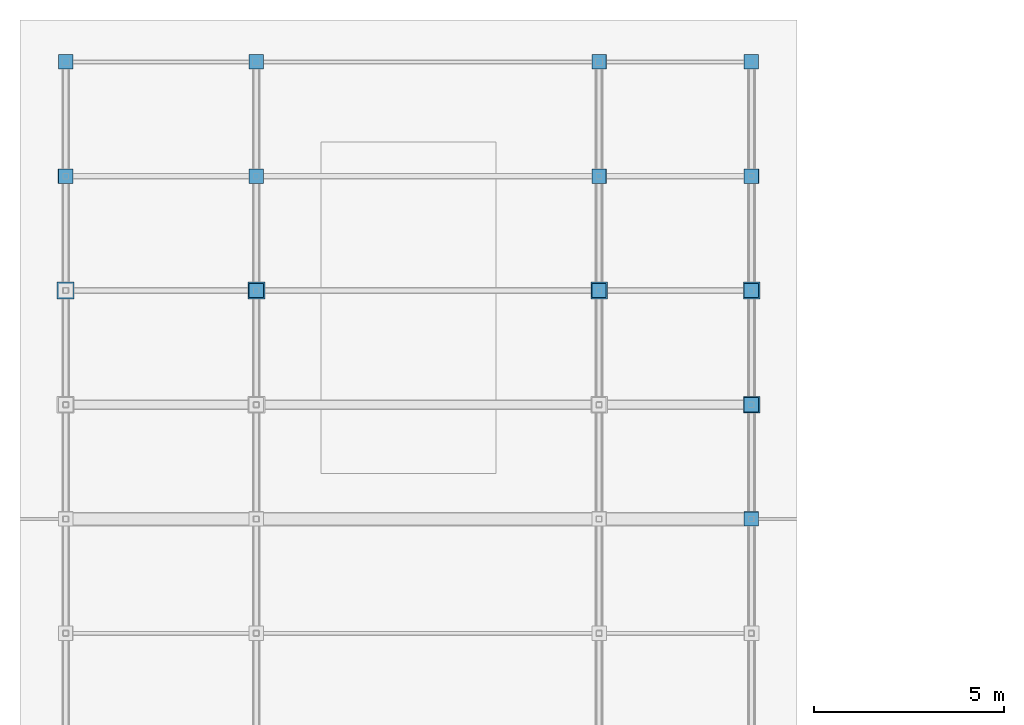
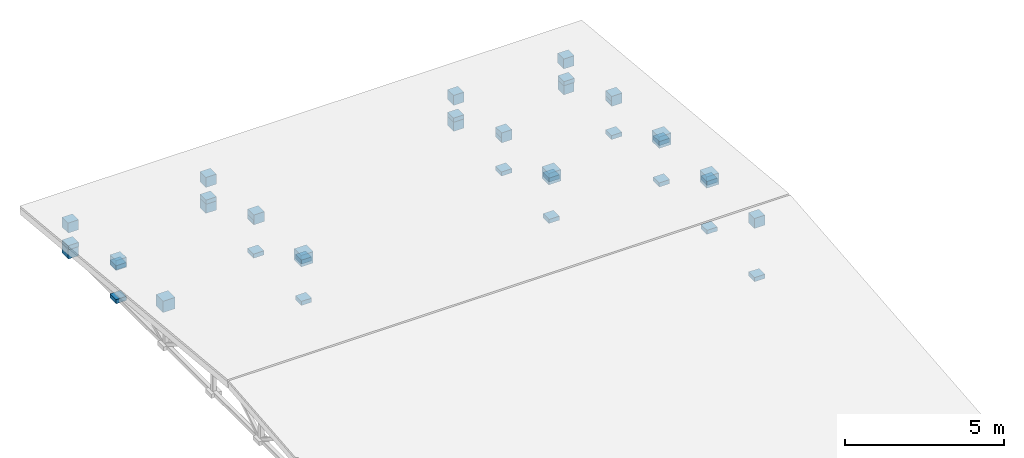
# One storey, part 24 of 25: 39 discrete accessories.
"""IFC4 building model written with IfcOpenShell, lengths in metres."""

from ifc_helpers import new_model, si_unit, direction, frame, origin, place, context, subcontext, project, spatial, polyline, outline, extrude, material, type_object, element, save


model = new_model("IFC4")

# Units and contexts
model_context = context("Model", 3, precision=1e-05, world=origin(), true_north=direction((0.0, 1.0)))
body_context = subcontext(model_context, "Body", "Model", "MODEL_VIEW")
ifc_project = project(units=[si_unit("LENGTHUNIT", "METRE"), si_unit("AREAUNIT", "SQUARE_METRE"), si_unit("VOLUMEUNIT", "CUBIC_METRE"), si_unit("PLANEANGLEUNIT", "RADIAN"), si_unit("MASSUNIT", "GRAM", prefix="KILO"), si_unit("THERMODYNAMICTEMPERATUREUNIT", "KELVIN"), si_unit("POWERUNIT", "WATT")], contexts=[model_context])

# Site, building, storey
site_placement = place(None, origin())
site = spatial("IfcSite", under=ifc_project, at=site_placement, CompositionType="ELEMENT")
building_placement = place(site_placement, origin())
building = spatial("IfcBuilding", under=site, at=building_placement, Name="Zelmaris Science Centre", CompositionType="ELEMENT")
storey_placement = place(building_placement, frame((0.0, 0.0, 30.0)))
storey = spatial("IfcBuildingStorey", under=building, at=storey_placement, Name="RF", CompositionType="ELEMENT", Elevation=30.0)

# Discrete accessories
ifc_material = material(Name="Steel ASTM A500 Grade C", Category="steel")
discrete_accessory_type = type_object("IfcDiscreteAccessoryType", Name="Hollow Section End Cap Plate BK-ECP", PredefinedType="BRACKET", material=ifc_material)
discrete_accessory_1_placement = place(storey_placement, frame((0.0, 0.0, 0.158203125)))
element("IfcDiscreteAccessory", 1, at=discrete_accessory_1_placement, inside=storey, type_object=discrete_accessory_type, Name="End cap plate 328", PredefinedType="BRACKET", context=body_context, shape_type="SweptSolid", body=[
    extrude(outline(polyline([(57.81103515625, 87.81689453125), (58.18896484375, 87.81689453125), (58.18896484375, 88.195068359375), (57.81103515625, 88.195068359375), (57.81103515625, 87.81689453125)])), origin(), (0.0, 0.0, 1.0), 0.378173828125),
])
discrete_accessory_2_placement = place(storey_placement, frame((0.0, 0.0, 1.156005859375)))
element("IfcDiscreteAccessory", 2, at=discrete_accessory_2_placement, inside=storey, type_object=discrete_accessory_type, Name="End cap plate 331", PredefinedType="BRACKET", context=body_context, shape_type="SweptSolid", body=[
    extrude(outline(polyline([(57.80908203125, 87.815185546875), (58.19091796875, 87.815185546875), (58.19091796875, 88.19677734375), (57.80908203125, 88.19677734375), (57.80908203125, 87.815185546875)])), origin(), (0.0, 0.0, 1.0), 0.381591796875),
])
discrete_accessory_3_placement = place(storey_placement, frame((0.0, 0.0, 0.26220703125)))
element("IfcDiscreteAccessory", 3, at=discrete_accessory_3_placement, inside=storey, type_object=discrete_accessory_type, Name="End cap plate 343", PredefinedType="BRACKET", context=body_context, shape_type="SweptSolid", body=[
    extrude(outline(polyline([(57.81103515625, 84.81103515625), (58.18896484375, 84.81103515625), (58.18896484375, 85.18896484375), (57.81103515625, 85.18896484375), (57.81103515625, 84.81103515625)])), origin(), (0.0, 0.0, 1.0), 0.158203125),
])
discrete_accessory_4_placement = place(storey_placement, frame((0.0, 0.0, 1.561767578125)))
element("IfcDiscreteAccessory", 4, at=discrete_accessory_4_placement, inside=storey, type_object=discrete_accessory_type, Name="End cap plate 344", PredefinedType="BRACKET", context=body_context, shape_type="SweptSolid", body=[
    extrude(outline(polyline([(57.81103515625, 84.81103515625), (58.18896484375, 84.81103515625), (58.18896484375, 85.18896484375), (57.81103515625, 85.18896484375), (57.81103515625, 84.81103515625)])), origin(), (0.0, 0.0, 1.0), 0.157958984375),
])
discrete_accessory_5_placement = place(storey_placement, frame((0.0, 0.0, 0.514892578125)))
element("IfcDiscreteAccessory", 5, at=discrete_accessory_5_placement, inside=storey, type_object=discrete_accessory_type, Name="End cap plate 346", PredefinedType="BRACKET", context=body_context, shape_type="SweptSolid", body=[
    extrude(outline(polyline([(57.80908203125, 87.80908203125), (58.19091796875, 87.80908203125), (58.19091796875, 88.19091796875), (57.80908203125, 88.19091796875), (57.80908203125, 87.80908203125)])), origin(), (0.0, 0.0, 1.0), 0.158203125),
])
discrete_accessory_6_placement = place(storey_placement, frame((0.0, 0.0, 0.158203125)))
element("IfcDiscreteAccessory", 6, at=discrete_accessory_6_placement, inside=storey, type_object=discrete_accessory_type, Name="End cap plate 348", PredefinedType="BRACKET", context=body_context, shape_type="SweptSolid", body=[
    extrude(outline(polyline([(62.81103515625, 87.81689453125), (63.18896484375, 87.81689453125), (63.18896484375, 88.195068359375), (62.81103515625, 88.195068359375), (62.81103515625, 87.81689453125)])), origin(), (0.0, 0.0, 1.0), 0.378173828125),
])
discrete_accessory_7_placement = place(storey_placement, frame((0.0, 0.0, 1.156005859375)))
element("IfcDiscreteAccessory", 7, at=discrete_accessory_7_placement, inside=storey, type_object=discrete_accessory_type, Name="End cap plate 351", PredefinedType="BRACKET", context=body_context, shape_type="SweptSolid", body=[
    extrude(outline(polyline([(62.80908203125, 87.815185546875), (63.19091796875, 87.815185546875), (63.19091796875, 88.19677734375), (62.80908203125, 88.19677734375), (62.80908203125, 87.815185546875)])), origin(), (0.0, 0.0, 1.0), 0.381591796875),
])
discrete_accessory_8_placement = place(storey_placement, frame((0.0, 0.0, 0.26220703125)))
element("IfcDiscreteAccessory", 8, at=discrete_accessory_8_placement, inside=storey, type_object=discrete_accessory_type, Name="End cap plate 361", PredefinedType="BRACKET", context=body_context, shape_type="SweptSolid", body=[
    extrude(outline(polyline([(62.81103515625, 81.81103515625), (63.18896484375, 81.81103515625), (63.18896484375, 82.18896484375), (62.81103515625, 82.18896484375), (62.81103515625, 81.81103515625)])), origin(), (0.0, 0.0, 1.0), 0.158203125),
])
discrete_accessory_9_placement = place(storey_placement, frame((0.0, 0.0, 1.849365234375)))
element("IfcDiscreteAccessory", 9, at=discrete_accessory_9_placement, inside=storey, type_object=discrete_accessory_type, Name="End cap plate 362", PredefinedType="BRACKET", context=body_context, shape_type="SweptSolid", body=[
    extrude(outline(polyline([(62.81103515625, 81.81103515625), (63.18896484375, 81.81103515625), (63.18896484375, 82.18896484375), (62.81103515625, 82.18896484375), (62.81103515625, 81.81103515625)])), origin(), (0.0, 0.0, 1.0), 0.157958984375),
])
discrete_accessory_10_placement = place(storey_placement, frame((0.0, 0.0, 0.26220703125)))
element("IfcDiscreteAccessory", 10, at=discrete_accessory_10_placement, inside=storey, type_object=discrete_accessory_type, Name="End cap plate 363", PredefinedType="BRACKET", context=body_context, shape_type="SweptSolid", body=[
    extrude(outline(polyline([(62.81103515625, 84.81103515625), (63.18896484375, 84.81103515625), (63.18896484375, 85.18896484375), (62.81103515625, 85.18896484375), (62.81103515625, 84.81103515625)])), origin(), (0.0, 0.0, 1.0), 0.158203125),
])
discrete_accessory_11_placement = place(storey_placement, frame((0.0, 0.0, 1.561767578125)))
element("IfcDiscreteAccessory", 11, at=discrete_accessory_11_placement, inside=storey, type_object=discrete_accessory_type, Name="End cap plate 364", PredefinedType="BRACKET", context=body_context, shape_type="SweptSolid", body=[
    extrude(outline(polyline([(62.81103515625, 84.81103515625), (63.18896484375, 84.81103515625), (63.18896484375, 85.18896484375), (62.81103515625, 85.18896484375), (62.81103515625, 84.81103515625)])), origin(), (0.0, 0.0, 1.0), 0.157958984375),
])
discrete_accessory_12_placement = place(storey_placement, frame((0.0, 0.0, 0.514892578125)))
element("IfcDiscreteAccessory", 12, at=discrete_accessory_12_placement, inside=storey, type_object=discrete_accessory_type, Name="End cap plate 366", PredefinedType="BRACKET", context=body_context, shape_type="SweptSolid", body=[
    extrude(outline(polyline([(62.80908203125, 87.80908203125), (63.19091796875, 87.80908203125), (63.19091796875, 88.19091796875), (62.80908203125, 88.19091796875), (62.80908203125, 87.80908203125)])), origin(), (0.0, 0.0, 1.0), 0.158203125),
])
discrete_accessory_13_placement = place(storey_placement, frame((0.0, 0.0, 0.158203125)))
element("IfcDiscreteAccessory", 13, at=discrete_accessory_13_placement, inside=storey, type_object=discrete_accessory_type, Name="End cap plate 368", PredefinedType="BRACKET", context=body_context, shape_type="SweptSolid", body=[
    extrude(outline(polyline([(71.81103515625, 87.81689453125), (72.18896484375, 87.81689453125), (72.18896484375, 88.195068359375), (71.81103515625, 88.195068359375), (71.81103515625, 87.81689453125)])), origin(), (0.0, 0.0, 1.0), 0.378173828125),
])
discrete_accessory_14_placement = place(storey_placement, frame((0.0, 0.0, 1.156005859375)))
element("IfcDiscreteAccessory", 14, at=discrete_accessory_14_placement, inside=storey, type_object=discrete_accessory_type, Name="End cap plate 371", PredefinedType="BRACKET", context=body_context, shape_type="SweptSolid", body=[
    extrude(outline(polyline([(71.80908203125, 87.815185546875), (72.19091796875, 87.815185546875), (72.19091796875, 88.19677734375), (71.80908203125, 88.19677734375), (71.80908203125, 87.815185546875)])), origin(), (0.0, 0.0, 1.0), 0.381591796875),
])
discrete_accessory_15_placement = place(storey_placement, frame((0.0, 0.0, 0.26220703125)))
element("IfcDiscreteAccessory", 15, at=discrete_accessory_15_placement, inside=storey, type_object=discrete_accessory_type, Name="End cap plate 381", PredefinedType="BRACKET", context=body_context, shape_type="SweptSolid", body=[
    extrude(outline(polyline([(71.81103515625, 81.81103515625), (72.18896484375, 81.81103515625), (72.18896484375, 82.18896484375), (71.81103515625, 82.18896484375), (71.81103515625, 81.81103515625)])), origin(), (0.0, 0.0, 1.0), 0.158203125),
])
discrete_accessory_16_placement = place(storey_placement, frame((0.0, 0.0, 1.849365234375)))
element("IfcDiscreteAccessory", 16, at=discrete_accessory_16_placement, inside=storey, type_object=discrete_accessory_type, Name="End cap plate 382", PredefinedType="BRACKET", context=body_context, shape_type="SweptSolid", body=[
    extrude(outline(polyline([(71.81103515625, 81.81103515625), (72.18896484375, 81.81103515625), (72.18896484375, 82.18896484375), (71.81103515625, 82.18896484375), (71.81103515625, 81.81103515625)])), origin(), (0.0, 0.0, 1.0), 0.157958984375),
])
discrete_accessory_17_placement = place(storey_placement, frame((0.0, 0.0, 0.26220703125)))
element("IfcDiscreteAccessory", 17, at=discrete_accessory_17_placement, inside=storey, type_object=discrete_accessory_type, Name="End cap plate 383", PredefinedType="BRACKET", context=body_context, shape_type="SweptSolid", body=[
    extrude(outline(polyline([(71.81103515625, 84.81103515625), (72.18896484375, 84.81103515625), (72.18896484375, 85.18896484375), (71.81103515625, 85.18896484375), (71.81103515625, 84.81103515625)])), origin(), (0.0, 0.0, 1.0), 0.158203125),
])
discrete_accessory_18_placement = place(storey_placement, frame((0.0, 0.0, 1.561767578125)))
element("IfcDiscreteAccessory", 18, at=discrete_accessory_18_placement, inside=storey, type_object=discrete_accessory_type, Name="End cap plate 384", PredefinedType="BRACKET", context=body_context, shape_type="SweptSolid", body=[
    extrude(outline(polyline([(71.81103515625, 84.81103515625), (72.18896484375, 84.81103515625), (72.18896484375, 85.18896484375), (71.81103515625, 85.18896484375), (71.81103515625, 84.81103515625)])), origin(), (0.0, 0.0, 1.0), 0.157958984375),
])
discrete_accessory_19_placement = place(storey_placement, frame((0.0, 0.0, 0.514892578125)))
element("IfcDiscreteAccessory", 19, at=discrete_accessory_19_placement, inside=storey, type_object=discrete_accessory_type, Name="End cap plate 386", PredefinedType="BRACKET", context=body_context, shape_type="SweptSolid", body=[
    extrude(outline(polyline([(71.80908203125, 87.80908203125), (72.19091796875, 87.80908203125), (72.19091796875, 88.19091796875), (71.80908203125, 88.19091796875), (71.80908203125, 87.80908203125)])), origin(), (0.0, 0.0, 1.0), 0.158203125),
])
discrete_accessory_20_placement = place(storey_placement, frame((0.0, 0.0, 0.158203125)))
element("IfcDiscreteAccessory", 20, at=discrete_accessory_20_placement, inside=storey, type_object=discrete_accessory_type, Name="End cap plate 388", PredefinedType="BRACKET", context=body_context, shape_type="SweptSolid", body=[
    extrude(outline(polyline([(75.81103515625, 87.81689453125), (76.18896484375, 87.81689453125), (76.18896484375, 88.195068359375), (75.81103515625, 88.195068359375), (75.81103515625, 87.81689453125)])), origin(), (0.0, 0.0, 1.0), 0.378173828125),
])
discrete_accessory_21_placement = place(storey_placement, frame((0.0, 0.0, 2.30712890625)))
element("IfcDiscreteAccessory", 21, at=discrete_accessory_21_placement, inside=storey, type_object=discrete_accessory_type, Name="End cap plate 390", PredefinedType="BRACKET", context=body_context, shape_type="SweptSolid", body=[
    extrude(outline(polyline([(75.80908203125, 75.815185546875), (76.19091796875, 75.815185546875), (76.19091796875, 76.19677734375), (75.80908203125, 76.19677734375), (75.80908203125, 75.815185546875)])), origin(), (0.0, 0.0, 1.0), 0.381591796875),
])
discrete_accessory_22_placement = place(storey_placement, frame((0.0, 0.0, 1.156005859375)))
element("IfcDiscreteAccessory", 22, at=discrete_accessory_22_placement, inside=storey, type_object=discrete_accessory_type, Name="End cap plate 391", PredefinedType="BRACKET", context=body_context, shape_type="SweptSolid", body=[
    extrude(outline(polyline([(75.80908203125, 87.815185546875), (76.19091796875, 87.815185546875), (76.19091796875, 88.19677734375), (75.80908203125, 88.19677734375), (75.80908203125, 87.815185546875)])), origin(), (0.0, 0.0, 1.0), 0.381591796875),
])
discrete_accessory_23_placement = place(storey_placement, frame((0.0, 0.0, 0.26220703125)))
element("IfcDiscreteAccessory", 23, at=discrete_accessory_23_placement, inside=storey, type_object=discrete_accessory_type, Name="End cap plate 398", PredefinedType="BRACKET", context=body_context, shape_type="SweptSolid", body=[
    extrude(outline(polyline([(75.81103515625, 75.81103515625), (76.18896484375, 75.81103515625), (76.18896484375, 76.18896484375), (75.81103515625, 76.18896484375), (75.81103515625, 75.81103515625)])), origin(), (0.0, 0.0, 1.0), 0.158203125),
])
for number, where, name in (
    (24, (0.0, 0.0, 0.26220703125), "End cap plate 399"),
    (25, (0.0, 0.0, 2.13671875), "End cap plate 400"),
):
    element("IfcDiscreteAccessory", number, at=place(storey_placement, frame(where)), inside=storey, type_object=discrete_accessory_type, Name=name, PredefinedType="BRACKET", context=body_context, shape_type="SweptSolid", body=[
        extrude(outline(polyline([(75.81103515625, 78.81103515625), (76.18896484375, 78.81103515625), (76.18896484375, 79.18896484375), (75.81103515625, 79.18896484375), (75.81103515625, 78.81103515625)])), origin(), (0.0, 0.0, 1.0), 0.158203125),
    ])
discrete_accessory_24_placement = place(storey_placement, frame((0.0, 0.0, 0.26220703125)))
element("IfcDiscreteAccessory", 26, at=discrete_accessory_24_placement, inside=storey, type_object=discrete_accessory_type, Name="End cap plate 401", PredefinedType="BRACKET", context=body_context, shape_type="SweptSolid", body=[
    extrude(outline(polyline([(75.81103515625, 81.81103515625), (76.18896484375, 81.81103515625), (76.18896484375, 82.18896484375), (75.81103515625, 82.18896484375), (75.81103515625, 81.81103515625)])), origin(), (0.0, 0.0, 1.0), 0.158203125),
])
discrete_accessory_25_placement = place(storey_placement, frame((0.0, 0.0, 1.849365234375)))
element("IfcDiscreteAccessory", 27, at=discrete_accessory_25_placement, inside=storey, type_object=discrete_accessory_type, Name="End cap plate 402", PredefinedType="BRACKET", context=body_context, shape_type="SweptSolid", body=[
    extrude(outline(polyline([(75.81103515625, 81.81103515625), (76.18896484375, 81.81103515625), (76.18896484375, 82.18896484375), (75.81103515625, 82.18896484375), (75.81103515625, 81.81103515625)])), origin(), (0.0, 0.0, 1.0), 0.157958984375),
])
discrete_accessory_26_placement = place(storey_placement, frame((0.0, 0.0, 0.26220703125)))
element("IfcDiscreteAccessory", 28, at=discrete_accessory_26_placement, inside=storey, type_object=discrete_accessory_type, Name="End cap plate 403", PredefinedType="BRACKET", context=body_context, shape_type="SweptSolid", body=[
    extrude(outline(polyline([(75.81103515625, 84.81103515625), (76.18896484375, 84.81103515625), (76.18896484375, 85.18896484375), (75.81103515625, 85.18896484375), (75.81103515625, 84.81103515625)])), origin(), (0.0, 0.0, 1.0), 0.158203125),
])
discrete_accessory_27_placement = place(storey_placement, frame((0.0, 0.0, 1.561767578125)))
element("IfcDiscreteAccessory", 29, at=discrete_accessory_27_placement, inside=storey, type_object=discrete_accessory_type, Name="End cap plate 404", PredefinedType="BRACKET", context=body_context, shape_type="SweptSolid", body=[
    extrude(outline(polyline([(75.81103515625, 84.81103515625), (76.18896484375, 84.81103515625), (76.18896484375, 85.18896484375), (75.81103515625, 85.18896484375), (75.81103515625, 84.81103515625)])), origin(), (0.0, 0.0, 1.0), 0.157958984375),
])
discrete_accessory_28_placement = place(storey_placement, frame((0.0, 0.0, 0.514892578125)))
element("IfcDiscreteAccessory", 30, at=discrete_accessory_28_placement, inside=storey, type_object=discrete_accessory_type, Name="End cap plate 406", PredefinedType="BRACKET", context=body_context, shape_type="SweptSolid", body=[
    extrude(outline(polyline([(75.80908203125, 87.80908203125), (76.19091796875, 87.80908203125), (76.19091796875, 88.19091796875), (75.80908203125, 88.19091796875), (75.80908203125, 87.80908203125)])), origin(), (0.0, 0.0, 1.0), 0.158203125),
])
discrete_accessory_29_placement = place(storey_placement, frame((0.0, 0.0, 1.772705078125)))
element("IfcDiscreteAccessory", 31, at=discrete_accessory_29_placement, inside=storey, type_object=discrete_accessory_type, Name="End cap plate 415", PredefinedType="BRACKET", context=body_context, shape_type="SweptSolid", body=[
    extrude(outline(polyline([(57.77490234375, 81.78076171875), (58.213134765625, 81.78076171875), (58.213134765625, 82.21923828125), (57.77490234375, 82.21923828125), (57.77490234375, 81.78076171875)])), origin(), (0.0, 0.0, 1.0), 0.4384765625),
])
discrete_accessory_30_placement = place(storey_placement, frame((0.0, 0.0, 1.772705078125)))
element("IfcDiscreteAccessory", 32, at=discrete_accessory_30_placement, inside=storey, type_object=discrete_accessory_type, Name="End cap plate 416", PredefinedType="BRACKET", context=body_context, shape_type="SweptSolid", body=[
    extrude(outline(polyline([(62.786865234375, 81.78076171875), (63.22509765625, 81.78076171875), (63.22509765625, 82.21923828125), (62.786865234375, 82.21923828125), (62.786865234375, 81.78076171875)])), origin(), (0.0, 0.0, 1.0), 0.4384765625),
])
discrete_accessory_31_placement = place(storey_placement, frame((0.0, 0.0, 1.5390625)))
element("IfcDiscreteAccessory", 33, at=discrete_accessory_31_placement, inside=storey, type_object=discrete_accessory_type, Name="End cap plate 417", PredefinedType="BRACKET", context=body_context, shape_type="SweptSolid", body=[
    extrude(outline(polyline([(57.80322265625, 84.80908203125), (58.184814453125, 84.80908203125), (58.184814453125, 85.19091796875), (57.80322265625, 85.19091796875), (57.80322265625, 84.80908203125)])), origin(), (0.0, 0.0, 1.0), 0.381591796875),
])
discrete_accessory_32_placement = place(storey_placement, frame((0.0, 0.0, 1.5390625)))
element("IfcDiscreteAccessory", 34, at=discrete_accessory_32_placement, inside=storey, type_object=discrete_accessory_type, Name="End cap plate 418", PredefinedType="BRACKET", context=body_context, shape_type="SweptSolid", body=[
    extrude(outline(polyline([(62.815185546875, 84.80908203125), (63.19677734375, 84.80908203125), (63.19677734375, 85.19091796875), (62.815185546875, 85.19091796875), (62.815185546875, 84.80908203125)])), origin(), (0.0, 0.0, 1.0), 0.381591796875),
])
discrete_accessory_33_placement = place(storey_placement, frame((0.0, 0.0, 1.772705078125)))
element("IfcDiscreteAccessory", 35, at=discrete_accessory_33_placement, inside=storey, type_object=discrete_accessory_type, Name="End cap plate 423", PredefinedType="BRACKET", context=body_context, shape_type="SweptSolid", body=[
    extrude(outline(polyline([(71.786865234375, 81.78076171875), (72.22509765625, 81.78076171875), (72.22509765625, 82.21923828125), (71.786865234375, 82.21923828125), (71.786865234375, 81.78076171875)])), origin(), (0.0, 0.0, 1.0), 0.4384765625),
])
discrete_accessory_34_placement = place(storey_placement, frame((0.0, 0.0, 1.5390625)))
element("IfcDiscreteAccessory", 36, at=discrete_accessory_34_placement, inside=storey, type_object=discrete_accessory_type, Name="End cap plate 424", PredefinedType="BRACKET", context=body_context, shape_type="SweptSolid", body=[
    extrude(outline(polyline([(71.815185546875, 84.80908203125), (72.19677734375, 84.80908203125), (72.19677734375, 85.19091796875), (71.815185546875, 85.19091796875), (71.815185546875, 84.80908203125)])), origin(), (0.0, 0.0, 1.0), 0.381591796875),
])
discrete_accessory_35_placement = place(storey_placement, frame((0.0, 0.0, 2.060302734375)))
element("IfcDiscreteAccessory", 37, at=discrete_accessory_35_placement, inside=storey, type_object=discrete_accessory_type, Name="End cap plate 428", PredefinedType="BRACKET", context=body_context, shape_type="SweptSolid", body=[
    extrude(outline(polyline([(75.786865234375, 78.78076171875), (76.22509765625, 78.78076171875), (76.22509765625, 79.21923828125), (75.786865234375, 79.21923828125), (75.786865234375, 78.78076171875)])), origin(), (0.0, 0.0, 1.0), 0.438232421875),
])
discrete_accessory_36_placement = place(storey_placement, frame((0.0, 0.0, 1.772705078125)))
element("IfcDiscreteAccessory", 38, at=discrete_accessory_36_placement, inside=storey, type_object=discrete_accessory_type, Name="End cap plate 429", PredefinedType="BRACKET", context=body_context, shape_type="SweptSolid", body=[
    extrude(outline(polyline([(75.786865234375, 81.78076171875), (76.22509765625, 81.78076171875), (76.22509765625, 82.21923828125), (75.786865234375, 82.21923828125), (75.786865234375, 81.78076171875)])), origin(), (0.0, 0.0, 1.0), 0.4384765625),
])
discrete_accessory_37_placement = place(storey_placement, frame((0.0, 0.0, 1.5390625)))
element("IfcDiscreteAccessory", 39, at=discrete_accessory_37_placement, inside=storey, type_object=discrete_accessory_type, Name="End cap plate 430", PredefinedType="BRACKET", context=body_context, shape_type="SweptSolid", body=[
    extrude(outline(polyline([(75.815185546875, 84.80908203125), (76.19677734375, 84.80908203125), (76.19677734375, 85.19091796875), (75.815185546875, 85.19091796875), (75.815185546875, 84.80908203125)])), origin(), (0.0, 0.0, 1.0), 0.381591796875),
])

save(model, "model.ifc")
